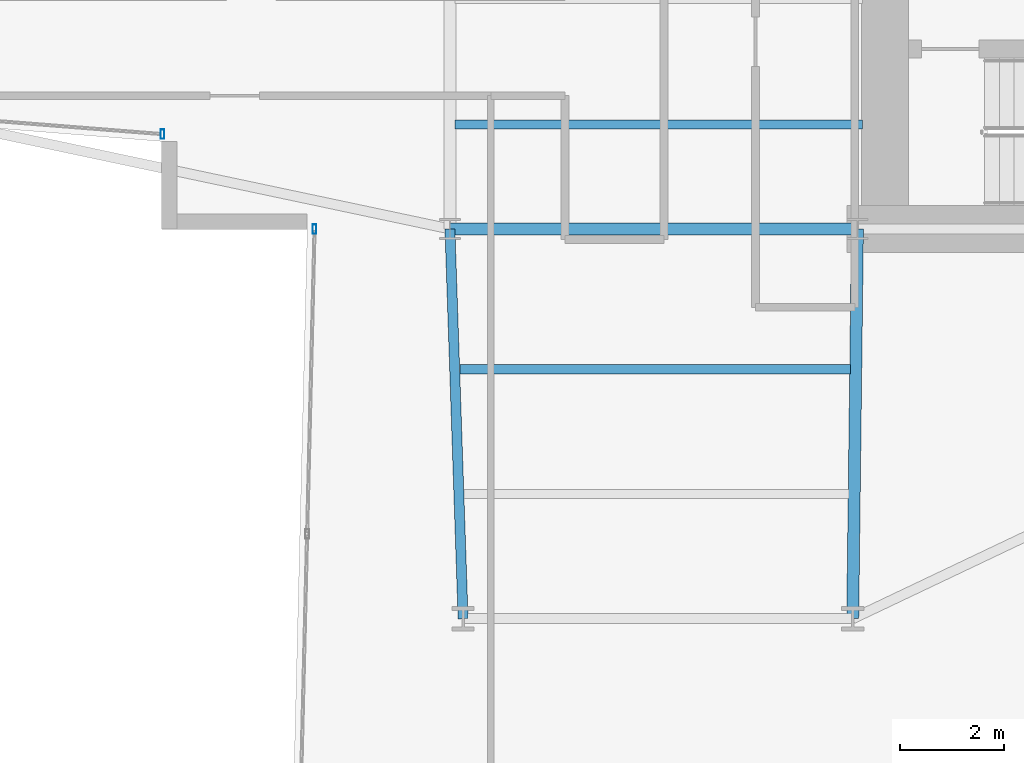
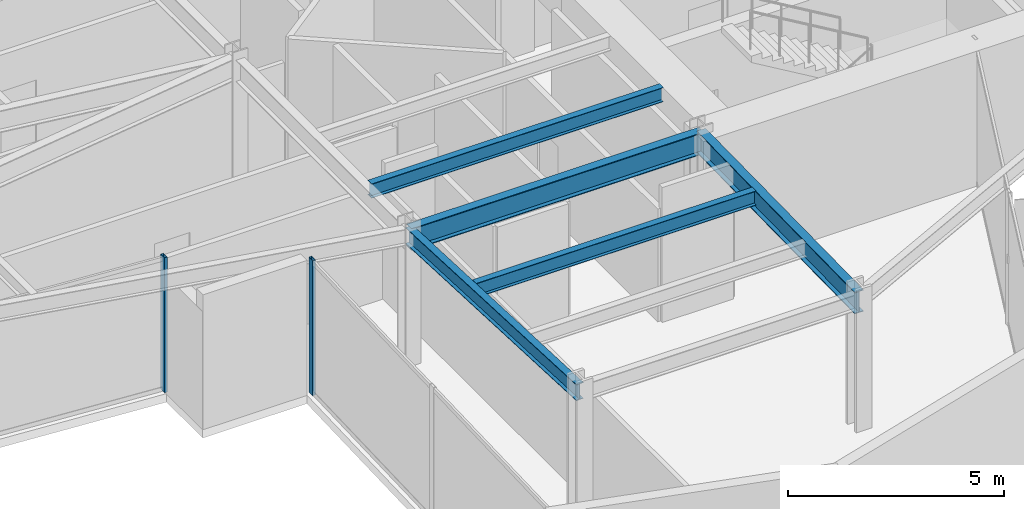
# One storey, part 5 of 24: 5 beams, 2 members, 2 elements without a shape of their own.
"""IFC4 building model written with IfcOpenShell, lengths in metres."""

from ifc_helpers import new_model, si_unit, direction, frame, origin, origin_2d, place, context, subcontext, project, spatial, hollow_rectangle, i_section, extrude, material, layer, layer_set, material_profile, profile_set, type_object, element, aggregate, save


model = new_model("IFC4")

# Units and contexts
model_context = context("Model", 3, precision=1e-05, world=origin(), true_north=direction((0.0, 1.0)))
body_context = subcontext(model_context, "Body", "Model", "MODEL_VIEW")
ifc_project = project(units=[si_unit("LENGTHUNIT", "METRE"), si_unit("AREAUNIT", "SQUARE_METRE"), si_unit("VOLUMEUNIT", "CUBIC_METRE"), si_unit("PLANEANGLEUNIT", "RADIAN"), si_unit("MASSUNIT", "GRAM", prefix="KILO")], contexts=[model_context])

# Site, building, storey
site_placement = place(None, origin())
site = spatial("IfcSite", under=ifc_project, at=site_placement, CompositionType="ELEMENT")
building_placement = place(site_placement, origin())
building = spatial("IfcBuilding", under=site, at=building_placement, Name="Veymaron Broadcast Tower", CompositionType="ELEMENT")
storey_placement = place(building_placement, frame((0.0, 0.0, 78.300048828125)))
storey = spatial("IfcBuildingStorey", under=building, at=storey_placement, Name="L17", CompositionType="ELEMENT", Elevation=78.300048828125)

# Beams
ifc_material_1 = material(Name="Structural steel ASTM A992 Gr 50", Category="steel")
ifc_material_profile_1 = material_profile(ifc_material_1, i_section(OverallWidth=0.22998046875, OverallDepth=0.616943359375, WebThickness=0.01318359375, FlangeThickness=0.022216796875, at=origin_2d()), Name="W610X140")
ifc_profile_set_1 = profile_set([ifc_material_profile_1], Name="Structural steel ASTM A992 Gr 50")
beam_type_1 = type_object("IfcBeamType", Name="BM-FG1", PredefinedType="BEAM", material=ifc_profile_set_1)
beam_1_placement = place(storey_placement, frame((31.199951171875, 16.0, 3.50146484375), z_axis=(1.0, 0.0, 0.0), x_axis=(0.0, 1.0, 0.0)))
element("IfcBeam", 1, at=beam_1_placement, inside=storey, type_object=beam_type_1, Name="L17 primary structural floor girder", PredefinedType="BEAM", context=body_context, shape_type="SweptSolid", body=[
    extrude(i_section(OverallWidth=0.22998046875, OverallDepth=0.616943359375, WebThickness=0.01318359375, FlangeThickness=0.022216796875, at=origin_2d()), origin(), (0.0, 0.0, 1.0), 7.800048828125),
])
beam_2_placement = place(storey_placement, frame((39.0, 16.0, 3.50146484375), z_axis=(-0.012075307518, -0.999927090816, 0.0), x_axis=(0.999927090816, -0.012075307518, 0.0)))
element("IfcBeam", 2, at=beam_2_placement, inside=storey, type_object=beam_type_1, Name="L17 primary structural floor girder", PredefinedType="BEAM", context=body_context, shape_type="SweptSolid", body=[
    extrude(i_section(OverallWidth=0.22998046875, OverallDepth=0.616943359375, WebThickness=0.01318359375, FlangeThickness=0.022216796875, at=origin_2d()), origin(), (0.0, 0.0, 1.0), 7.46044921875),
])
ifc_material_profile_2 = material_profile(ifc_material_1, i_section(OverallWidth=0.177978515625, OverallDepth=0.406982421875, WebThickness=0.0078125, FlangeThickness=0.0126953125, at=origin_2d()), Name="W410X60")
ifc_profile_set_2 = profile_set([ifc_material_profile_2], Name="Structural steel ASTM A992 Gr 50")
beam_type_2 = type_object("IfcBeamType", Name="BM-JS1", PredefinedType="JOIST", material=ifc_profile_set_2)
beam_3_placement = place(storey_placement, frame((31.390625, 13.314453125, 3.6064453125), z_axis=(1.0, 0.0, 0.0), x_axis=(0.0, 1.0, 0.0)))
element("IfcBeam", 3, at=beam_3_placement, inside=storey, type_object=beam_type_2, Name="L17 Arm-C secondary joist 1", PredefinedType="JOIST", context=body_context, shape_type="SweptSolid", body=[
    extrude(i_section(OverallWidth=0.177978515625, OverallDepth=0.406982421875, WebThickness=0.0078125, FlangeThickness=0.0126953125, at=origin_2d()), origin(), (0.0, 0.0, 1.0), 7.47705078125),
])
beam_4_placement = place(storey_placement, frame((31.300048828125, 18.0, 3.6064453125), z_axis=(1.0, 0.0, 0.0), x_axis=(0.0, 1.0, 0.0)))
element("IfcBeam", 4, at=beam_4_placement, inside=storey, type_object=beam_type_2, Name="L17 Hub secondary joist 1", PredefinedType="JOIST", context=body_context, shape_type="SweptSolid", body=[
    extrude(i_section(OverallWidth=0.177978515625, OverallDepth=0.406982421875, WebThickness=0.0078125, FlangeThickness=0.0126953125, at=origin_2d()), origin(), (0.0, 0.0, 1.0), 7.800048828125),
])
ifc_material_profile_3 = material_profile(ifc_material_1, i_section(OverallWidth=0.19091796875, OverallDepth=0.4599609375, WebThickness=0.010009765625, FlangeThickness=0.01611328125, at=origin_2d()), Name="W460X82")
ifc_profile_set_3 = profile_set([ifc_material_profile_3], Name="Structural steel ASTM A992 Gr 50")
beam_type_3 = type_object("IfcBeamType", Name="BM-SP1", PredefinedType="SPANDREL", material=ifc_profile_set_3)
beam_5_placement = place(storey_placement, frame((31.199951171875, 16.0, 3.579833984375), z_axis=(0.033754807852, -0.999430144106, 0.0), x_axis=(0.999430144106, 0.033754807852, 0.0)))
element("IfcBeam", 5, at=beam_5_placement, inside=storey, type_object=beam_type_3, Name="L17 primary structural floor girder", PredefinedType="SPANDREL", context=body_context, shape_type="SweptSolid", body=[
    extrude(i_section(OverallWidth=0.19091796875, OverallDepth=0.4599609375, WebThickness=0.010009765625, FlangeThickness=0.01611328125, at=origin_2d()), origin(), (0.0, 0.0, 1.0), 7.464111328125),
])

# Curtain wall, member
ifc_material_2 = material(Name="Anodised aluminium AA 6063-T6 and laminated low-E dark glass", Category="aluminium")
ifc_layer = layer(ifc_material_2, 0.179931640625)
ifc_layer_set = layer_set([ifc_layer], Name="Anodised aluminium AA 6063-T6 and laminated low-E dark glass")
curtain_wall_type = type_object("IfcCurtainWallType", Name="CW-SYS-02", PredefinedType="NOTDEFINED", material=ifc_layer_set)
curtain_wall_1_placement = place(storey_placement, origin())
curtain_wall_1 = element("IfcCurtainWall", 6, at=curtain_wall_1_placement, inside=storey, type_object=curtain_wall_type, Name="L17 dark-glass curtain wall CW-L17-E14-1", PredefinedType="NOTDEFINED")
ifc_material_3 = material(Name="Anodised aluminium AA 6063-T6", Category="aluminium")
ifc_material_profile_4 = material_profile(ifc_material_3, hollow_rectangle(XDim=0.074951171875, YDim=0.179931640625, WallThickness=0.0048828125, at=origin_2d()), Name="AL180X75X5")
ifc_profile_set_4 = profile_set([ifc_material_profile_4], Name="Anodised aluminium AA 6063-T6")
member_type = type_object("IfcMemberType", Name="CW-MUL-02", PredefinedType="MULLION", material=ifc_profile_set_4)
member_1_placement = place(storey_placement, frame((25.698974609375, 17.81494140625, 0.0), z_axis=(0.0, 0.0, 1.0), x_axis=(1.0, 0.0, 0.0)))
member_1 = element("IfcMember", 7, at=member_1_placement, type_object=member_type, Name="CW-L17-E14-1 mullion 2", PredefinedType="MULLION", context=body_context, shape_type="SweptSolid", body=[
    extrude(hollow_rectangle(XDim=0.074951171875, YDim=0.179931640625, WallThickness=0.0048828125, at=origin_2d()), origin(), (0.0, 0.0, 1.0), 3.81005859375),
])
aggregate(curtain_wall_1, [member_1])

curtain_wall_2_placement = place(storey_placement, origin())
curtain_wall_2 = element("IfcCurtainWall", 8, at=curtain_wall_2_placement, inside=storey, type_object=curtain_wall_type, Name="L17 dark-glass curtain wall CW-L17-E17-1", PredefinedType="NOTDEFINED")
member_2_placement = place(storey_placement, frame((28.6083984375, 15.99658203125, 0.0), z_axis=(0.0, 0.0, 1.0), x_axis=(1.0, 0.0, 0.0)))
member_2 = element("IfcMember", 9, at=member_2_placement, type_object=member_type, Name="CW-L17-E17-1 mullion 0", PredefinedType="MULLION", context=body_context, shape_type="SweptSolid", body=[
    extrude(hollow_rectangle(XDim=0.074951171875, YDim=0.179931640625, WallThickness=0.0048828125, at=origin_2d()), origin(), (0.0, 0.0, 1.0), 3.81005859375),
])
aggregate(curtain_wall_2, [member_2])

save(model, "model.ifc")
